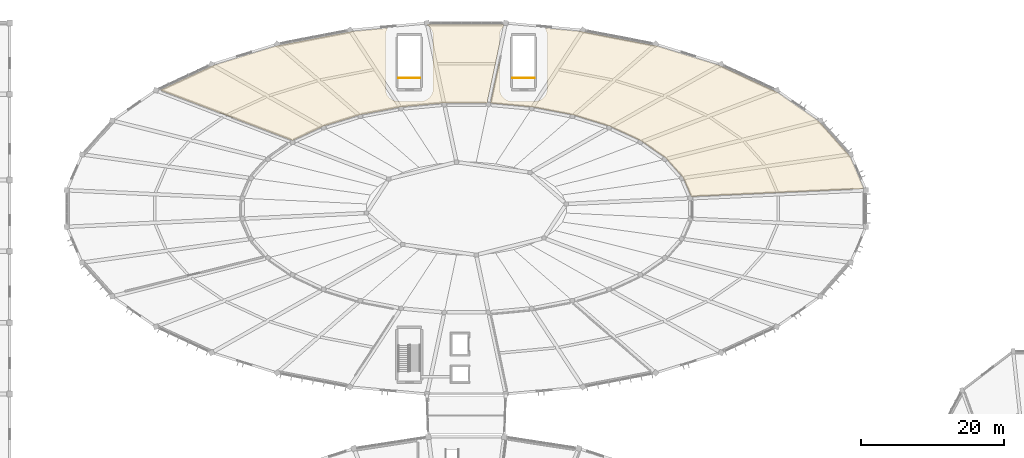
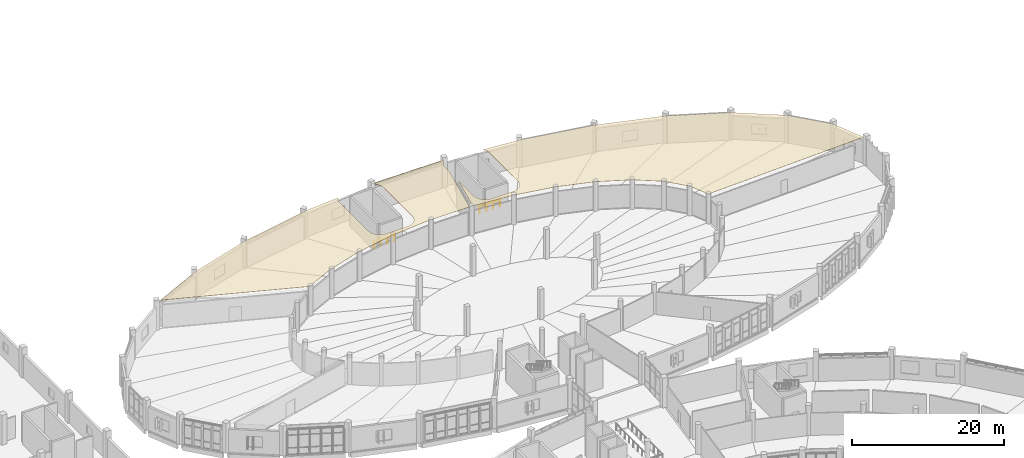
# One storey, part 178 of 179: 2 coverings, 2 railings.
"""IFC4 building model written with IfcOpenShell, lengths in metres."""

import ifcopenshell
import ifcopenshell.guid

model = None  # the IFC model being written
_history = None  # IfcOwnerHistory: only IFC2X3 demands one
_inside = {}  # id of a spatial element -> (the spatial element, [elements in it])
_under = {}  # id of a project, library or spatial element -> (it, [spatial elements below it])
_declared = {}  # id of a project -> (the project, [libraries it declares])
_typed = {}  # id of a type object -> (the type object, [elements of that type])
_made_of = {}  # id of a material, layer set ... -> (it, [elements and type objects made of it])


def new_model(schema):
    """Start an empty IFC model of exactly this schema.

    Asked for "IFC4X3", IfcOpenShell would pick the latest addendum, in which some entities
    have other attributes; the version numbers below select the first issue.
    IFC2X3 requires an IfcOwnerHistory on every rooted entity: one is made here for all.
    """
    global model, _history
    if schema == "IFC4X3":
        model = ifcopenshell.file(schema_version=(4, 3, 0, 0))
    else:
        model = ifcopenshell.file(schema=schema)
    _inside.clear()
    _under.clear()
    _declared.clear()
    _typed.clear()
    _made_of.clear()
    _history = None
    if model.schema == "IFC2X3":
        org = make("IfcOrganization", Name="unknown")
        user = make(
            "IfcPersonAndOrganization",
            ThePerson=make("IfcPerson", FamilyName="unknown"),
            TheOrganization=org,
        )
        app = make(
            "IfcApplication",
            ApplicationDeveloper=org,
            Version="unknown",
            ApplicationFullName="unknown",
            ApplicationIdentifier="unknown",
        )
        _history = make(
            "IfcOwnerHistory",
            OwningUser=user,
            OwningApplication=app,
            ChangeAction="ADDED",
            CreationDate=0,
        )
    return model


def make(cls, **values):
    """One entity of the class cls with the attributes given. An attribute that is None is left unset."""
    return model.create_entity(
        cls, **{name: value for name, value in values.items() if value is not None}
    )


def rooted(cls, **values):
    """An entity with a GlobalId (a new one), such as an element, a storey or a relation."""
    return make(cls, GlobalId=ifcopenshell.guid.new(), OwnerHistory=_history, **values)


def si_unit(unit_type, name, prefix=None):
    """IfcSIUnit, for example si_unit("LENGTHUNIT", "METRE", prefix="MILLI")."""
    return make("IfcSIUnit", UnitType=unit_type, Prefix=prefix, Name=name)


def assignment(units):
    """IfcUnitAssignment: the units of a project."""
    return None if units is None else make("IfcUnitAssignment", Units=units)


def point(xyz):
    """IfcCartesianPoint."""
    return None if xyz is None else make("IfcCartesianPoint", Coordinates=xyz)


def direction(xyz):
    """IfcDirection."""
    return None if xyz is None else make("IfcDirection", DirectionRatios=xyz)


def frame(location, z_axis=None, x_axis=None):
    """IfcAxis2Placement3D, a coordinate frame: its origin and axes. An axis left out is left unset."""
    return make(
        "IfcAxis2Placement3D",
        Location=point(location),
        Axis=direction(z_axis),
        RefDirection=direction(x_axis),
    )


def frame_2d(location, x_axis=None):
    """IfcAxis2Placement2D, a coordinate frame in the plane: its origin and x axis."""
    return make(
        "IfcAxis2Placement2D", Location=point(location), RefDirection=direction(x_axis)
    )


def origin():
    """The frame at (0, 0, 0) with its axes left unset."""
    return frame((0.0, 0.0, 0.0))


def origin_2d():
    """The frame at (0, 0) in the plane with its x axis left unset."""
    return frame_2d((0.0, 0.0))


def place(relative_to, where):
    """IfcLocalPlacement: puts the frame where relative to a parent placement (None: the world)."""
    return make(
        "IfcLocalPlacement", PlacementRelTo=relative_to, RelativePlacement=where
    )


def context(
    kind, dimensions, precision=None, world=None, true_north=None, identifier=None
):
    """IfcGeometricRepresentationContext, for example the 3D "Model" context."""
    return make(
        "IfcGeometricRepresentationContext",
        ContextIdentifier=identifier,
        ContextType=kind,
        CoordinateSpaceDimension=dimensions,
        Precision=precision,
        WorldCoordinateSystem=world,
        TrueNorth=true_north,
    )


def subcontext(parent, identifier, kind, view, scale=None):
    """IfcGeometricRepresentationSubContext, for example "Body" below "Model"."""
    return make(
        "IfcGeometricRepresentationSubContext",
        ContextIdentifier=identifier,
        ContextType=kind,
        ParentContext=parent,
        TargetScale=scale,
        TargetView=view,
    )


def project(units=None, contexts=None):
    """IfcProject with its units and contexts."""
    return rooted(
        "IfcProject",
        Name="project",
        RepresentationContexts=contexts,
        UnitsInContext=assignment(units),
    )


def spatial(cls, under=None, at=None, **own):
    """A site, building, storey or space (cls), placed at a placement, below another one or the project."""
    s = rooted(cls, ObjectPlacement=at, **own)
    if under is not None:
        _under.setdefault(under.id(), (under, []))[1].append(s)
    return s


def polyline(points):
    """IfcPolyline through the points."""
    return make("IfcPolyline", Points=[point(p) for p in points])


def profile(cls, at=None, kind="AREA", **sizes):
    """A parametric profile (cls). Its sizes go by their IFC names, for example OverallWidth=200.0."""
    return make(cls, ProfileType=kind, Position=at, **sizes)


def circle(**sizes):
    """IfcCircleProfileDef."""
    return profile("IfcCircleProfileDef", **sizes)


def outline(outer, holes=None, kind="AREA"):
    """IfcArbitraryClosedProfileDef: a profile drawn as a closed curve; with holes, ...WithVoids."""
    if holes is None:
        return make("IfcArbitraryClosedProfileDef", ProfileType=kind, OuterCurve=outer)
    return make(
        "IfcArbitraryProfileDefWithVoids",
        ProfileType=kind,
        OuterCurve=outer,
        InnerCurves=holes,
    )


def extrude(swept, where, along, depth):
    """IfcExtrudedAreaSolid: the profile swept, set in the frame where, extruded along a direction by depth."""
    return make(
        "IfcExtrudedAreaSolid",
        SweptArea=swept,
        Position=where,
        ExtrudedDirection=direction(along),
        Depth=depth,
    )


def shape(context_of_items, identifier, shape_type, items):
    """IfcShapeRepresentation: the items that make up one representation, for example the "Body"."""
    return make(
        "IfcShapeRepresentation",
        ContextOfItems=context_of_items,
        RepresentationIdentifier=identifier,
        RepresentationType=shape_type,
        Items=items,
    )


def material(Name=None, Category=None):
    """IfcMaterial."""
    return make("IfcMaterial", Name=Name, Category=Category)


def layer(
    of_material, thickness, ventilated=None, Name=None, Category=None, Priority=None
):
    """IfcMaterialLayer: one layer of a wall or slab, of a material (None: an air gap)."""
    return make(
        "IfcMaterialLayer",
        Material=of_material,
        LayerThickness=thickness,
        IsVentilated=ventilated,
        Name=Name,
        Category=Category,
        Priority=Priority,
    )


def layer_set(layers, Name=None):
    """IfcMaterialLayerSet."""
    return make("IfcMaterialLayerSet", MaterialLayers=layers, LayerSetName=Name)


def made_of(thing, what):
    """Note that an element or type object is made of a material, layer set ...; save() writes the relation."""
    if what is not None:
        _made_of.setdefault(what.id(), (what, []))[1].append(thing)
    return thing


def type_object(cls, material=None, **own):
    """A type object (cls), such as IfcWallType, which elements share."""
    return made_of(rooted(cls, **own), material)


def element(
    cls,
    number,
    at=None,
    inside=None,
    cuts=None,
    type_object=None,
    material=None,
    context=None,
    identifier="Body",
    shape_type=None,
    held_by="IfcProductDefinitionShape",
    body=None,
    shapes=None,
    **own,
):
    """One element of the class cls, such as IfcWall. Its Tag is "e" and its number.

    at: its placement. inside: the storey or other place that contains it. cuts: it is an
    opening in that element (IfcRelVoidsElement). A single representation is given by context,
    identifier, shape_type and body (its items); several are given by shapes. held_by: the class
    of the entity that holds the representations. save() writes the other relations.
    """
    e = rooted(cls, Tag="e%d" % number, ObjectPlacement=at, **own)
    if body is not None:
        shapes = [shape(context, identifier, shape_type, body)]
    if shapes is not None:
        e.Representation = make(held_by, Representations=shapes)
    if inside is not None:
        _inside.setdefault(inside.id(), (inside, []))[1].append(e)
    if cuts is not None:
        rooted(
            "IfcRelVoidsElement", RelatingBuildingElement=cuts, RelatedOpeningElement=e
        )
    if type_object is not None:
        _typed.setdefault(type_object.id(), (type_object, []))[1].append(e)
    return made_of(e, material)


def aggregate(whole, parts):
    """IfcRelAggregates: a whole, such as a stair, and the parts it consists of."""
    return rooted("IfcRelAggregates", RelatingObject=whole, RelatedObjects=parts)


def save(model, path):
    """Write the relations noted so far, then the file.

    IfcRelAggregates (storeys below a building ...), IfcRelContainedInSpatialStructure (elements
    in a storey), IfcRelDefinesByType, IfcRelAssociatesMaterial and IfcRelDeclares: one each for
    every whole, place, type object, material and project.
    """
    for whole, parts in _under.values():
        aggregate(whole, parts)
    for where, things in _inside.values():
        rooted(
            "IfcRelContainedInSpatialStructure",
            RelatedElements=things,
            RelatingStructure=where,
        )
    for kind, things in _typed.values():
        rooted("IfcRelDefinesByType", RelatedObjects=things, RelatingType=kind)
    for what, things in _made_of.values():
        rooted("IfcRelAssociatesMaterial", RelatedObjects=things, RelatingMaterial=what)
    for by, libraries in _declared.values():
        rooted("IfcRelDeclares", RelatingContext=by, RelatedDefinitions=libraries)
    model.write(path)


model = new_model("IFC4")

# Units and contexts
model_context = context("Model", 3, precision=1e-05, world=origin(), true_north=direction((0.0, 1.0)))
body_context = subcontext(model_context, "Body", "Model", "MODEL_VIEW")
ifc_project = project(units=[si_unit("LENGTHUNIT", "METRE"), si_unit("AREAUNIT", "SQUARE_METRE"), si_unit("VOLUMEUNIT", "CUBIC_METRE"), si_unit("PLANEANGLEUNIT", "RADIAN"), si_unit("MASSUNIT", "GRAM", prefix="KILO")], contexts=[model_context])

# Site, building, storey
site_placement = place(None, origin())
site = spatial("IfcSite", under=ifc_project, at=site_placement, CompositionType="ELEMENT")
building_placement = place(site_placement, origin())
building = spatial("IfcBuilding", under=site, at=building_placement, Name="Corvandel Quay Wholesale Market", CompositionType="ELEMENT")
storey_placement = place(building_placement, frame((0.0, 0.0, 6.0)))
storey = spatial("IfcBuildingStorey", under=building, at=storey_placement, Name="L01", CompositionType="ELEMENT", Elevation=6.0)

# Covering
ifc_material_1 = material(Name="Perforated powder-coated aluminium acoustic panel", Category="aluminium")
ifc_layer_1 = layer(ifc_material_1, 0.044921875)
ifc_layer_set_1 = layer_set([ifc_layer_1], Name="Perforated powder-coated aluminium acoustic panel")
covering_type_1 = type_object("IfcCoveringType", Name="Perforated Acoustic Baffle Ceiling CLG01", PredefinedType="CEILING", material=ifc_layer_set_1)
covering_1_placement = place(storey_placement, frame((0.0, 0.0, 4.31005859375)))
element("IfcCovering", 1, at=covering_1_placement, inside=storey, type_object=covering_type_1, Name="Suspended Ceiling CLG-009", PredefinedType="CEILING", context=body_context, shape_type="SweptSolid", body=[
    extrude(outline(polyline([(144.3330078125, 120.407958984375), (141.926025390625, 123.095947265625), (138.47607421875, 125.490966796875), (134.090087890625, 127.527099609375), (128.89892578125, 129.138916015625), (123.18994140625, 130.236083984375), (117.402099609375, 130.77197265625), (117.39990234375, 130.77197265625), (117.39794921875, 130.77294921875), (117.39599609375, 130.77392578125), (117.39501953125, 130.77392578125), (117.39306640625, 130.77490234375), (117.39111328125, 130.777099609375), (117.389892578125, 130.778076171875), (117.388916015625, 130.779052734375), (117.386962890625, 130.781005859375), (117.385986328125, 130.782958984375), (117.385009765625, 130.783935546875), (117.385009765625, 130.785888671875), (117.384033203125, 130.7880859375), (117.384033203125, 130.7900390625), (117.384033203125, 130.7919921875), (117.384033203125, 130.7939453125), (117.384033203125, 130.7958984375), (118.64990234375, 136.762939453125), (118.64990234375, 132.800048828125), (118.658935546875, 132.6240234375), (118.68505859375, 132.448974609375), (118.72802734375, 132.277099609375), (118.787109375, 132.111083984375), (118.863037109375, 131.950927734375), (118.952880859375, 131.800048828125), (119.05908203125, 131.657958984375), (119.177001953125, 131.527099609375), (119.30810546875, 131.408935546875), (119.449951171875, 131.302978515625), (119.60107421875, 131.212890625), (119.760986328125, 131.136962890625), (119.927001953125, 131.077880859375), (120.09912109375, 131.034912109375), (120.27392578125, 131.009033203125), (120.449951171875, 131.0), (123.550048828125, 131.0), (123.72607421875, 131.009033203125), (123.90087890625, 131.034912109375), (124.072998046875, 131.077880859375), (124.239013671875, 131.136962890625), (124.39892578125, 131.212890625), (124.550048828125, 131.302978515625), (124.69189453125, 131.408935546875), (124.822998046875, 131.527099609375), (124.94091796875, 131.657958984375), (125.047119140625, 131.800048828125), (125.136962890625, 131.950927734375), (125.212890625, 132.111083984375), (125.27197265625, 132.277099609375), (125.31494140625, 132.448974609375), (125.341064453125, 132.6240234375), (125.35009765625, 132.800048828125), (125.35009765625, 140.199951171875), (125.341064453125, 140.3759765625), (125.31494140625, 140.551025390625), (125.27197265625, 140.722900390625), (125.212890625, 140.888916015625), (125.136962890625, 141.049072265625), (125.047119140625, 141.199951171875), (125.008056640625, 141.251953125), (130.300048828125, 140.762939453125), (130.302001953125, 140.762939453125), (140.467041015625, 138.80810546875), (140.468994140625, 138.806884765625), (149.610107421875, 135.971923828125), (149.612060546875, 135.970947265625), (157.3759765625, 132.365966796875), (157.3779296875, 132.364990234375), (157.37890625, 132.364013671875), (163.464111328125, 128.135986328125), (163.466064453125, 128.135009765625), (163.468017578125, 128.133056640625), (167.64111328125, 123.4560546875), (167.64208984375, 123.455078125), (167.64306640625, 123.452880859375), (167.64404296875, 123.450927734375), (169.631103515625, 118.81201171875), (169.632080078125, 118.81005859375), (169.633056640625, 118.80810546875), (169.633056640625, 118.805908203125), (169.633056640625, 118.803955078125), (169.633056640625, 118.802001953125), (169.633056640625, 118.801025390625), (169.632080078125, 118.799072265625), (169.632080078125, 118.797119140625), (169.631103515625, 118.794921875), (169.6298828125, 118.79296875), (169.62890625, 118.7919921875), (169.6279296875, 118.7900390625), (169.6259765625, 118.7890625), (169.625, 118.7880859375), (169.623046875, 118.787109375), (169.62109375, 118.785888671875), (169.6201171875, 118.784912109375), (169.617919921875, 118.784912109375), (169.615966796875, 118.783935546875), (169.614013671875, 118.783935546875), (145.529052734375, 117.681884765625), (145.527099609375, 117.681884765625), (145.52490234375, 117.681884765625), (145.52294921875, 117.68310546875), (145.52099609375, 117.68310546875), (145.51904296875, 117.68408203125), (145.51708984375, 117.68505859375), (145.51611328125, 117.68603515625), (145.513916015625, 117.68798828125), (145.512939453125, 117.68896484375), (145.511962890625, 117.69091796875), (145.510986328125, 117.69189453125), (145.510009765625, 117.694091796875), (144.3759765625, 120.340087890625), (144.3330078125, 120.407958984375)])), origin(), (0.0, 0.0, 1.0), 0.044921875),
])

# Railings
ifc_material_2 = material(Name="Painted galvanised tubular steel", Category="steel")
ifc_layer_2 = layer(ifc_material_2, 0.054931640625)
ifc_layer_set_2 = layer_set([ifc_layer_2], Name="Painted galvanised tubular steel")
railing_type = type_object("IfcRailingType", Name="Stairwell Inner Guard Railing GR02 1100mm", PredefinedType="GUARDRAIL", material=ifc_layer_set_2)
for number, where, name in (
    (2, (104.469970703125, 134.300048828125, 0.0), "Stair Top Well Guard SH06-L01"),
    (3, (120.469970703125, 134.300048828125, 0.0), "Stair Top Well Guard SH07-L01"),
):
    element("IfcRailing", number, at=place(storey_placement, frame(where)), inside=storey, type_object=railing_type, Name=name, PredefinedType="GUARDRAIL", context=body_context, shape_type="SweptSolid", body=[
        extrude(circle(Radius=0.02392578125, at=origin_2d()), frame((0.0, 0.0, 1.076171875), z_axis=(1.0, 0.0, 0.0), x_axis=(0.0, 1.0, 0.0)), (0.0, 0.0, 1.0), 3.06005859375),
        extrude(circle(Radius=0.02099609375, at=origin_2d()), origin(), (0.0, 0.0, 1.0), 1.052001953125),
        extrude(circle(Radius=0.02099609375, at=origin_2d()), frame((1.02001953125, 0.0, 0.0)), (0.0, 0.0, 1.0), 1.052001953125),
        extrude(circle(Radius=0.02099609375, at=origin_2d()), frame((2.0400390625, 0.0, 0.0)), (0.0, 0.0, 1.0), 1.052001953125),
        extrude(circle(Radius=0.02099609375, at=origin_2d()), frame((3.06005859375, 0.0, 0.0)), (0.0, 0.0, 1.0), 1.052001953125),
    ])

# Covering
ifc_material_3 = material(Name="Moisture-resistant washable PVC-faced gypsum board")
ifc_layer_3 = layer(ifc_material_3, 0.0400390625)
ifc_layer_set_3 = layer_set([ifc_layer_3], Name="Moisture-resistant washable PVC-faced gypsum board")
covering_type_2 = type_object("IfcCoveringType", Name="Washable Hygienic Market Ceiling CLG02", PredefinedType="CEILING", material=ifc_layer_set_3)
covering_2_placement = place(storey_placement, frame((0.0, 0.0, 4.31005859375)))
element("IfcCovering", 4, at=covering_2_placement, inside=storey, type_object=covering_type_2, Name="Suspended Ceiling CLG-010", PredefinedType="CEILING", context=body_context, shape_type="SweptSolid", body=[
    extrude(outline(polyline([(78.389892578125, 135.971923828125), (87.531005859375, 138.806884765625), (87.532958984375, 138.80810546875), (97.697998046875, 140.762939453125), (97.699951171875, 140.762939453125), (102.991943359375, 141.251953125), (102.952880859375, 141.199951171875), (102.863037109375, 141.049072265625), (102.787109375, 140.888916015625), (102.72802734375, 140.722900390625), (102.68505859375, 140.551025390625), (102.658935546875, 140.3759765625), (102.64990234375, 140.199951171875), (102.64990234375, 132.800048828125), (102.658935546875, 132.6240234375), (102.68505859375, 132.448974609375), (102.72802734375, 132.277099609375), (102.787109375, 132.111083984375), (102.863037109375, 131.950927734375), (102.952880859375, 131.800048828125), (103.05908203125, 131.657958984375), (103.177001953125, 131.527099609375), (103.30810546875, 131.408935546875), (103.449951171875, 131.302978515625), (103.60107421875, 131.212890625), (103.760986328125, 131.136962890625), (103.927001953125, 131.077880859375), (104.09912109375, 131.034912109375), (104.27392578125, 131.009033203125), (104.449951171875, 131.0), (107.550048828125, 131.0), (107.72607421875, 131.009033203125), (107.90087890625, 131.034912109375), (108.072998046875, 131.077880859375), (108.239013671875, 131.136962890625), (108.39892578125, 131.212890625), (108.550048828125, 131.302978515625), (108.69189453125, 131.408935546875), (108.822998046875, 131.527099609375), (108.94091796875, 131.657958984375), (109.047119140625, 131.800048828125), (109.136962890625, 131.950927734375), (109.212890625, 132.111083984375), (109.27197265625, 132.277099609375), (109.31494140625, 132.448974609375), (109.341064453125, 132.6240234375), (109.35009765625, 132.800048828125), (109.35009765625, 140.199951171875), (109.341064453125, 140.3759765625), (109.31494140625, 140.551025390625), (109.27197265625, 140.722900390625), (109.212890625, 140.888916015625), (109.136962890625, 141.049072265625), (109.047119140625, 141.199951171875), (108.94091796875, 141.342041015625), (108.822998046875, 141.472900390625), (108.69189453125, 141.591064453125), (108.550048828125, 141.697021484375), (108.450927734375, 141.756103515625), (108.493896484375, 141.760009765625), (108.49609375, 141.760009765625), (119.195068359375, 141.760009765625), (119.197021484375, 141.760009765625), (119.198974609375, 141.760009765625), (119.200927734375, 141.759033203125), (119.202880859375, 141.758056640625), (119.2041015625, 141.758056640625), (119.2060546875, 141.757080078125), (119.2080078125, 141.7548828125), (119.208984375, 141.75390625), (119.2109375, 141.7529296875), (119.2119140625, 141.7509765625), (119.212890625, 141.7490234375), (119.214111328125, 141.7470703125), (119.214111328125, 141.74609375), (119.215087890625, 141.743896484375), (119.215087890625, 141.741943359375), (119.215087890625, 141.739990234375), (119.215087890625, 141.738037109375), (119.215087890625, 141.736083984375), (119.153076171875, 141.446044921875), (119.05908203125, 141.342041015625), (118.952880859375, 141.199951171875), (118.863037109375, 141.049072265625), (118.787109375, 140.888916015625), (118.72802734375, 140.722900390625), (118.68505859375, 140.551025390625), (118.658935546875, 140.3759765625), (118.64990234375, 140.199951171875), (118.64990234375, 139.074951171875), (116.89794921875, 130.81591796875), (116.89697265625, 130.81396484375), (116.89599609375, 130.81201171875), (116.89599609375, 130.81005859375), (116.89501953125, 130.80908203125), (116.89306640625, 130.806884765625), (116.89208984375, 130.805908203125), (116.89111328125, 130.803955078125), (116.888916015625, 130.802978515625), (116.886962890625, 130.802001953125), (116.885986328125, 130.801025390625), (116.884033203125, 130.801025390625), (116.882080078125, 130.800048828125), (116.8798828125, 130.800048828125), (116.8779296875, 130.800048828125), (110.89111328125, 130.799072265625), (104.83203125, 130.239013671875), (99.10107421875, 129.138916015625), (93.93505859375, 127.537109375), (89.638916015625, 125.544921875), (89.637939453125, 125.5439453125), (89.635986328125, 125.5439453125), (89.634033203125, 125.54296875), (89.632080078125, 125.54296875), (89.6298828125, 125.54296875), (89.6279296875, 125.54296875), (89.6259765625, 125.5439453125), (89.6240234375, 125.5439453125), (71.1630859375, 132.5791015625), (71.160888671875, 132.580078125), (71.158935546875, 132.5810546875), (71.157958984375, 132.58203125), (71.156005859375, 132.5830078125), (71.155029296875, 132.5849609375), (71.154052734375, 132.5859375), (71.153076171875, 132.587890625), (71.152099609375, 132.590087890625), (71.15087890625, 132.592041015625), (71.15087890625, 132.593017578125), (71.14990234375, 132.594970703125), (71.14990234375, 132.596923828125), (71.14990234375, 132.59912109375), (71.14990234375, 132.60107421875), (71.15087890625, 132.60302734375), (71.15087890625, 132.60498046875), (71.152099609375, 132.60693359375), (71.153076171875, 132.60791015625), (71.154052734375, 132.610107421875), (71.155029296875, 132.612060546875), (71.156982421875, 132.613037109375), (71.157958984375, 132.614013671875), (71.159912109375, 132.614990234375), (71.162109375, 132.615966796875), (78.387939453125, 135.970947265625), (78.389892578125, 135.971923828125)])), origin(), (0.0, 0.0, 1.0), 0.044921875),
])

save(model, "model.ifc")
